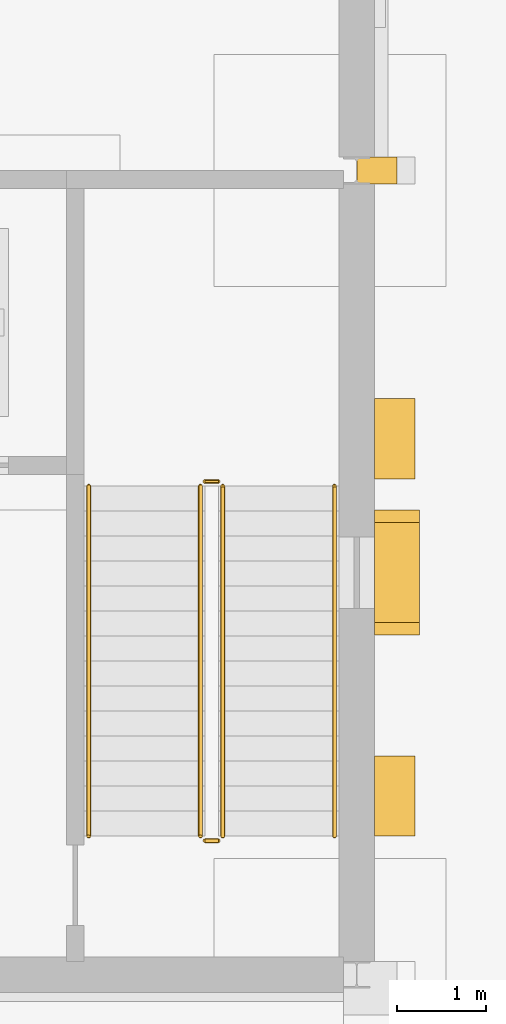
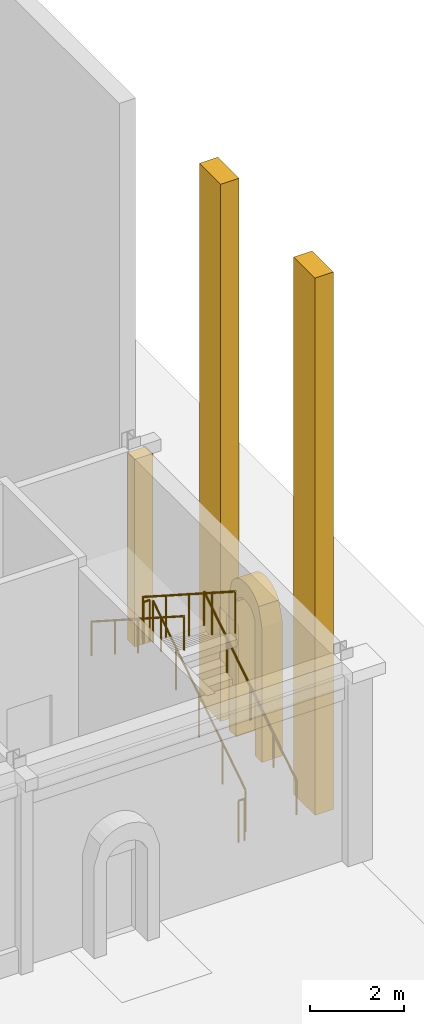
# One storey, part 118 of 126: 6 railings, 4 coverings.
"""IFC4 building model written with IfcOpenShell, lengths in metres."""

from ifc_helpers import new_model, si_unit, direction, frame, origin, origin_2d, place, context, subcontext, project, spatial, polyline, rectangle, circle, outline, extrude, material, layer, layer_set, type_object, element, save


model = new_model("IFC4")

# Units and contexts
model_context = context("Model", 3, precision=1e-05, world=origin(), true_north=direction((0.0, 1.0)))
body_context = subcontext(model_context, "Body", "Model", "MODEL_VIEW")
ifc_project = project(units=[si_unit("LENGTHUNIT", "METRE"), si_unit("AREAUNIT", "SQUARE_METRE"), si_unit("VOLUMEUNIT", "CUBIC_METRE"), si_unit("PLANEANGLEUNIT", "RADIAN"), si_unit("MASSUNIT", "GRAM", prefix="KILO")], contexts=[model_context])

# Site, building, storey
site_placement = place(None, origin())
site = spatial("IfcSite", under=ifc_project, at=site_placement, CompositionType="ELEMENT")
building_placement = place(site_placement, origin())
building = spatial("IfcBuilding", under=site, at=building_placement, Name="Kallimachos Central Library", CompositionType="ELEMENT")
storey_placement = place(building_placement, origin())
storey = spatial("IfcBuildingStorey", under=building, at=storey_placement, Name="L00", CompositionType="ELEMENT", Elevation=0.0)

# Railings
ifc_material_1 = material(Name="Steel S355J2", Category="steel")
railing_type_1 = type_object("IfcRailingType", Name="Stair guard 1100", PredefinedType="GUARDRAIL", material=ifc_material_1)
railing_1_placement = place(storey_placement, frame((168.5, 88.550048828125, 0.179931640625)))
element("IfcRailing", 1, at=railing_1_placement, inside=storey, type_object=railing_type_1, Name="L00 ST7 stair guard 1", PredefinedType="GUARDRAIL", context=body_context, shape_type="SweptSolid", body=[
    extrude(circle(Radius=0.02392578125, at=origin_2d()), frame((0.0, 0.0, 1.076171875), z_axis=(0.0, 0.841171666519, 0.540768182723), x_axis=(-1.0, 0.0, 0.0)), (0.0, 0.0, 1.0), 4.66015625),
    extrude(circle(Radius=0.02099609375, at=origin_2d()), origin(), (0.0, 0.0, 1.0), 1.052001953125),
    extrude(circle(Radius=0.02099609375, at=origin_2d()), frame((0.0, 0.97998046875, 0.6298828125)), (0.0, 0.0, 1.0), 1.052001953125),
    extrude(circle(Radius=0.02099609375, at=origin_2d()), frame((0.0, 1.9599609375, 1.260009765625)), (0.0, 0.0, 1.0), 1.052001953125),
    extrude(circle(Radius=0.02099609375, at=origin_2d()), frame((0.0, 2.93994140625, 1.89013671875)), (0.0, 0.0, 1.0), 1.052001953125),
    extrude(circle(Radius=0.02099609375, at=origin_2d()), frame((0.0, 3.919921875, 2.52001953125)), (0.0, 0.0, 1.0), 1.052001953125),
])
railing_2_placement = place(storey_placement, frame((168.449951171875, 92.52001953125, 2.699951171875)))
element("IfcRailing", 2, at=railing_2_placement, inside=storey, type_object=railing_type_1, Name="L00 ST7 stair guard 2", PredefinedType="GUARDRAIL", context=body_context, shape_type="SweptSolid", body=[
    extrude(circle(Radius=0.02392578125, at=origin_2d()), frame((0.0, 0.0, 1.076171875), z_axis=(-1.0, 0.0, 0.0), x_axis=(0.0, -1.0, 0.0)), (0.0, 0.0, 1.0), 0.14990234375),
    extrude(circle(Radius=0.02099609375, at=origin_2d()), origin(), (0.0, 0.0, 1.0), 1.052001953125),
    extrude(circle(Radius=0.02099609375, at=origin_2d()), frame((-0.14990234375, 0.0, 0.0)), (0.0, 0.0, 1.0), 1.052001953125),
])
railing_3_placement = place(storey_placement, frame((168.25, 92.469970703125, 2.8798828125)))
element("IfcRailing", 3, at=railing_3_placement, inside=storey, type_object=railing_type_1, Name="L00 ST7 stair guard 3", PredefinedType="GUARDRAIL", context=body_context, shape_type="SweptSolid", body=[
    extrude(circle(Radius=0.02392578125, at=origin_2d()), frame((0.0, 0.0, 1.076171875), z_axis=(0.0, -0.841171666519, 0.540768182723), x_axis=(1.0, 0.0, 0.0)), (0.0, 0.0, 1.0), 4.66015625),
    extrude(circle(Radius=0.02099609375, at=origin_2d()), origin(), (0.0, 0.0, 1.0), 1.052001953125),
    extrude(circle(Radius=0.02099609375, at=origin_2d()), frame((0.0, -0.97998046875, 0.6298828125)), (0.0, 0.0, 1.0), 1.052001953125),
    extrude(circle(Radius=0.02099609375, at=origin_2d()), frame((0.0, -1.9599609375, 1.260009765625)), (0.0, 0.0, 1.0), 1.052001953125),
    extrude(circle(Radius=0.02099609375, at=origin_2d()), frame((0.0, -2.93994140625, 1.89013671875)), (0.0, 0.0, 1.0), 1.052001953125),
    extrude(circle(Radius=0.02099609375, at=origin_2d()), frame((0.0, -3.919921875, 2.52001953125)), (0.0, 0.0, 1.0), 1.052001953125),
])
railing_4_placement = place(storey_placement, frame((168.449951171875, 88.5, 0.0)))
element("IfcRailing", 4, at=railing_4_placement, inside=storey, type_object=railing_type_1, Name="L00 ST7 stair guard 4", PredefinedType="GUARDRAIL", context=body_context, shape_type="SweptSolid", body=[
    extrude(circle(Radius=0.02392578125, at=origin_2d()), frame((0.0, 0.0, 1.076171875), z_axis=(-1.0, 0.0, 0.0), x_axis=(0.0, -1.0, 0.0)), (0.0, 0.0, 1.0), 0.14990234375),
    extrude(circle(Radius=0.02099609375, at=origin_2d()), origin(), (0.0, 0.0, 1.0), 1.052001953125),
    extrude(circle(Radius=0.02099609375, at=origin_2d()), frame((-0.14990234375, 0.0, 0.0)), (0.0, 0.0, 1.0), 1.052001953125),
])
ifc_material_2 = material(Name="Steel S355J2", Category="steel")
railing_type_2 = type_object("IfcRailingType", Name="Stair handrail 900", PredefinedType="HANDRAIL", material=ifc_material_2)
railing_5_placement = place(storey_placement, frame((169.75, 88.550048828125, 0.179931640625)))
element("IfcRailing", 5, at=railing_5_placement, inside=storey, type_object=railing_type_2, Name="L00 ST7 stair handrail 1", PredefinedType="HANDRAIL", context=body_context, shape_type="SweptSolid", body=[
    extrude(circle(Radius=0.02392578125, at=origin_2d()), frame((0.0, 0.0, 0.8759765625), z_axis=(0.0, 0.841171666519, 0.540768182723), x_axis=(-1.0, 0.0, 0.0)), (0.0, 0.0, 1.0), 4.66015625),
    extrude(circle(Radius=0.02099609375, at=origin_2d()), origin(), (0.0, 0.0, 1.0), 0.851806640625),
    extrude(circle(Radius=0.02099609375, at=origin_2d()), frame((0.0, 0.97998046875, 0.6298828125)), (0.0, 0.0, 1.0), 0.851806640625),
    extrude(circle(Radius=0.02099609375, at=origin_2d()), frame((0.0, 1.9599609375, 1.260009765625)), (0.0, 0.0, 1.0), 0.851806640625),
    extrude(circle(Radius=0.02099609375, at=origin_2d()), frame((0.0, 2.93994140625, 1.89013671875)), (0.0, 0.0, 1.0), 0.851806640625),
    extrude(circle(Radius=0.02099609375, at=origin_2d()), frame((0.0, 3.919921875, 2.52001953125)), (0.0, 0.0, 1.0), 0.851806640625),
])
railing_6_placement = place(storey_placement, frame((167.0, 92.469970703125, 2.8798828125)))
element("IfcRailing", 6, at=railing_6_placement, inside=storey, type_object=railing_type_2, Name="L00 ST7 stair handrail 2", PredefinedType="HANDRAIL", context=body_context, shape_type="SweptSolid", body=[
    extrude(circle(Radius=0.02392578125, at=origin_2d()), frame((0.0, 0.0, 0.8759765625), z_axis=(0.0, -0.841171666519, 0.540768182723), x_axis=(1.0, 0.0, 0.0)), (0.0, 0.0, 1.0), 4.66015625),
    extrude(circle(Radius=0.02099609375, at=origin_2d()), origin(), (0.0, 0.0, 1.0), 0.851806640625),
    extrude(circle(Radius=0.02099609375, at=origin_2d()), frame((0.0, -0.97998046875, 0.6298828125)), (0.0, 0.0, 1.0), 0.851806640625),
    extrude(circle(Radius=0.02099609375, at=origin_2d()), frame((0.0, -1.9599609375, 1.260009765625)), (0.0, 0.0, 1.0), 0.851806640625),
    extrude(circle(Radius=0.02099609375, at=origin_2d()), frame((0.0, -2.93994140625, 1.89013671875)), (0.0, 0.0, 1.0), 0.851806640625),
    extrude(circle(Radius=0.02099609375, at=origin_2d()), frame((0.0, -3.919921875, 2.52001953125)), (0.0, 0.0, 1.0), 0.851806640625),
])

# Coverings
ifc_material_3 = material(Name="Pentelic marble arcade ring", Category="masonry")
ifc_layer_1 = layer(ifc_material_3, 0.5)
ifc_layer_set_1 = layer_set([ifc_layer_1], Name="Stone arcade ring 500")
covering_type_1 = type_object("IfcCoveringType", Name="Stone arcade ring 500", PredefinedType="MOLDING", material=ifc_layer_set_1)
covering_1_placement = place(storey_placement, frame((170.699951171875, 91.10009765625, 0.0), z_axis=(1.0, 0.0, 0.0), x_axis=(0.0, 0.0, 1.0)))
element("IfcCovering", 7, at=covering_1_placement, inside=storey, type_object=covering_type_1, Name="Arcade ring -L00-003-11", PredefinedType="MOLDING", context=body_context, shape_type="SweptSolid", body=[
    extrude(outline(polyline([(0.0, 0.0), (3.5, 0.0), (3.635009765625, -0.079833984375), (3.705810546875, -0.159912109375), (3.748779296875, -0.239990234375), (3.7724609375, -0.31982421875), (3.780029296875, -0.39990234375), (3.7724609375, -0.47998046875), (3.748779296875, -0.559814453125), (3.705810546875, -0.639892578125), (3.635009765625, -0.719970703125), (3.5, -0.7998046875), (0.0, -0.7998046875), (0.0, -1.099853515625), (3.5, -1.099853515625), (3.950439453125, -0.9599609375), (4.090087890625, -0.81982421875), (4.171630859375, -0.679931640625), (4.2158203125, -0.539794921875), (4.22998046875, -0.39990234375), (4.2158203125, -0.260009765625), (4.171630859375, -0.119873046875), (4.090087890625, 0.02001953125), (3.950439453125, 0.16015625), (3.5, 0.300048828125), (0.0, 0.300048828125), (0.0, 0.0)])), origin(), (0.0, 0.0, -1.0), 0.5),
])
ifc_material_4 = material(Name="Pentelic marble buttress", Category="masonry")
ifc_layer_2 = layer(ifc_material_4, 0.449951171875)
ifc_layer_set_2 = layer_set([ifc_layer_2], Name="Stone buttress 450")
covering_type_2 = type_object("IfcCoveringType", Name="Stone buttress 450", PredefinedType="CLADDING", material=ifc_layer_set_2)
for number, where, z_axis, x_axis, name in (
    (8, (170.425048828125, 89.0, 0.0), (0.0, 0.0, 1.0), (1.0, 0.0, 0.0), "Stone buttress"),
    (9, (170.425048828125, 93.0, 0.0), (0.0, 0.0, 1.0), (1.0, 0.0, 0.0), "Stone buttress"),
):
    element("IfcCovering", number, at=place(storey_placement, frame(where, z_axis=z_axis, x_axis=x_axis)), inside=storey, type_object=covering_type_2, Name=name, PredefinedType="CLADDING", context=body_context, shape_type="SweptSolid", body=[
        extrude(rectangle(XDim=0.449951171875, YDim=0.89990234375, at=origin_2d()), origin(), (0.0, 0.0, 1.0), 13.89990234375),
    ])
ifc_material_5 = material(Name="Pentelic marble pilaster", Category="masonry")
ifc_layer_3 = layer(ifc_material_5, 0.25)
ifc_layer_set_3 = layer_set([ifc_layer_3], Name="Stone pilaster 250")
covering_type_3 = type_object("IfcCoveringType", Name="Stone pilaster 250", PredefinedType="CLADDING", material=ifc_layer_set_3)
covering_2_placement = place(storey_placement, frame((170.22509765625, 96.0, 0.0), z_axis=(0.0, 0.0, 1.0), x_axis=(1.0, 0.0, 0.0)))
element("IfcCovering", 10, at=covering_2_placement, inside=storey, type_object=covering_type_3, Name="Stone pilaster 250 -L00-003", PredefinedType="CLADDING", context=body_context, shape_type="SweptSolid", body=[
    extrude(rectangle(XDim=0.449951171875, YDim=0.300048828125, at=origin_2d()), origin(), (0.0, 0.0, 1.0), 4.85009765625),
])

save(model, "model.ifc")
